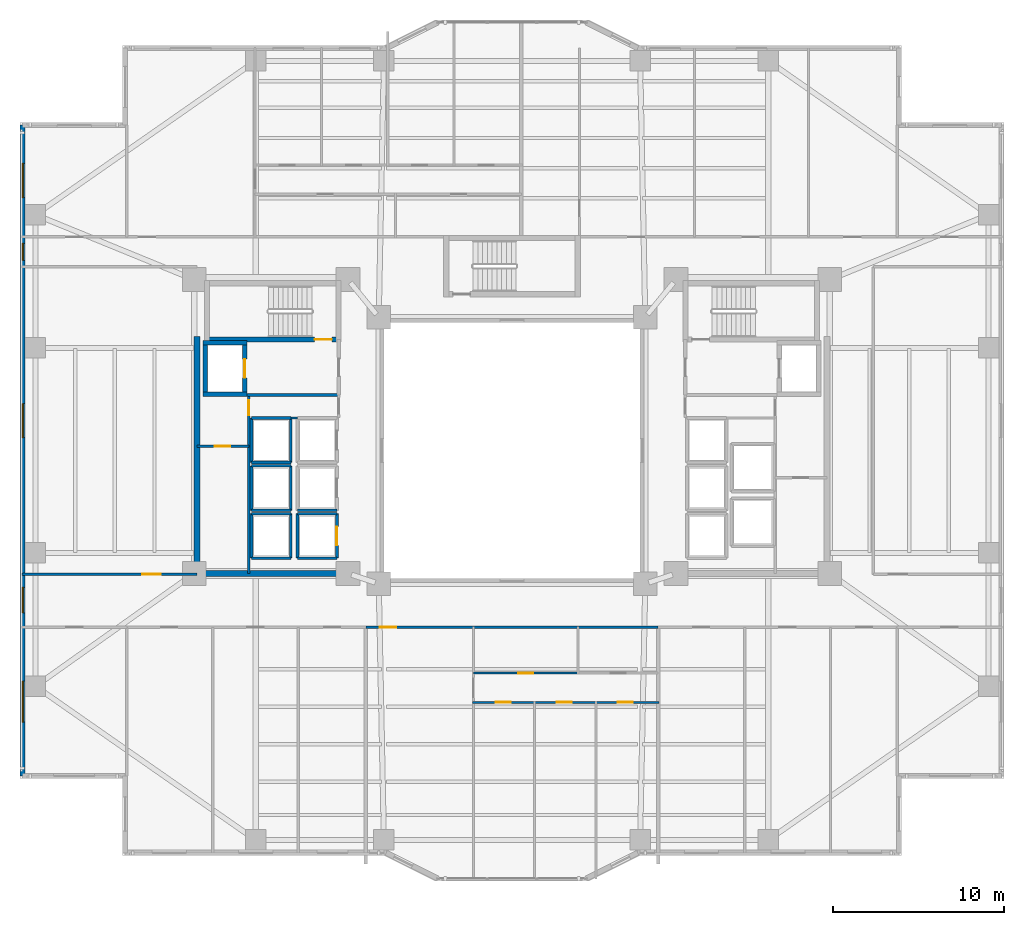
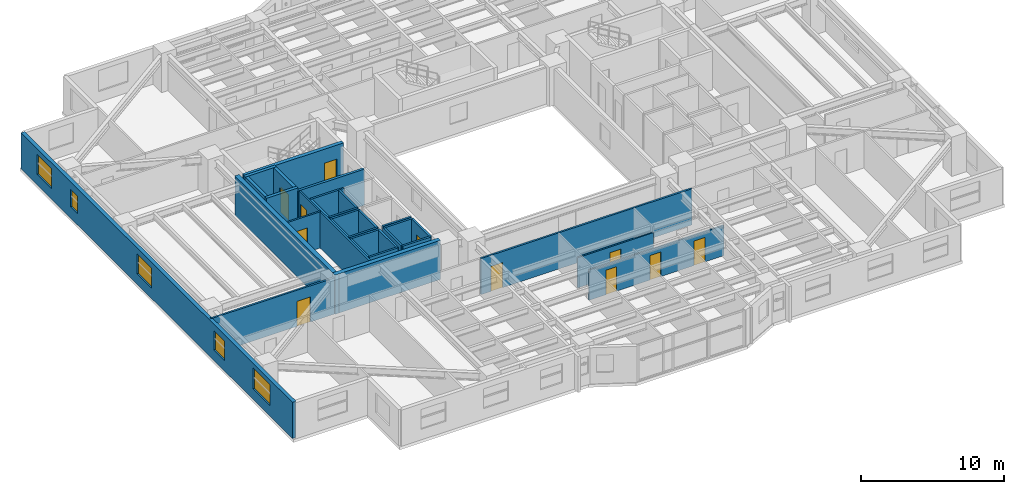
# One storey, part 10 of 19: 33 walls, 11 doors, 5 windows, 16 openings.
"""IFC4 building model written with IfcOpenShell, lengths in metres."""

from ifc_helpers import new_model, si_unit, direction, frame, frame_2d, origin, place, context, subcontext, project, spatial, rectangle, extrude, material, layer, layer_set, type_object, element, fill, save


model = new_model("IFC4")

# Units and contexts
model_context = context("Model", 3, precision=1e-05, world=origin(), true_north=direction((0.0, 1.0)))
body_context = subcontext(model_context, "Body", "Model", "MODEL_VIEW")
ifc_project = project(units=[si_unit("LENGTHUNIT", "METRE"), si_unit("AREAUNIT", "SQUARE_METRE"), si_unit("VOLUMEUNIT", "CUBIC_METRE"), si_unit("PLANEANGLEUNIT", "RADIAN"), si_unit("MASSUNIT", "GRAM", prefix="KILO")], contexts=[model_context])

# Site, building, storey
site_placement = place(None, origin())
site = spatial("IfcSite", under=ifc_project, at=site_placement, CompositionType="ELEMENT")
building_placement = place(site_placement, origin())
building = spatial("IfcBuilding", under=site, at=building_placement, Name="Tarnavaz Court Tower", CompositionType="ELEMENT")
storey_placement = place(building_placement, frame((0.0, 0.0, 50.800048828125)))
storey = spatial("IfcBuildingStorey", under=building, at=storey_placement, Name="L13", CompositionType="ELEMENT", Elevation=50.800048828125)

# Wall
ifc_material_1 = material(Name="Concrete C60/75", Category="concrete")
ifc_layer_1 = layer(ifc_material_1, 0.25)
ifc_layer_set_1 = layer_set([ifc_layer_1], Name="Concrete C60/75")
wall_type_1 = type_object("IfcWallType", Name="WL-CORE-250-C60", PredefinedType="SHEAR", material=ifc_layer_set_1)
wall_1_placement = place(storey_placement, frame((-17.949951171875, 3.175048828125, 0.0), z_axis=(0.0, 0.0, 1.0), x_axis=(0.0, 1.0, 0.0)))
element("IfcWall", 1, at=wall_1_placement, inside=storey, type_object=wall_type_1, Name="L13 Lift FL-W1 Shaft Wall 017", PredefinedType="SHEAR", context=body_context, shape_type="SweptSolid", body=[
    extrude(rectangle(XDim=3.25, YDim=0.25, at=frame_2d((1.625, 0.0))), origin(), (0.0, 0.0, 1.0), 3.349853515625),
])

# Wall, opening, door
wall_2_placement = place(storey_placement, frame((-15.64990234375, 3.175048828125, 0.0), z_axis=(0.0, 0.0, 1.0), x_axis=(0.0, 1.0, 0.0)))
wall_2 = element("IfcWall", 2, at=wall_2_placement, inside=storey, type_object=wall_type_1, Name="L13 Lift FL-W1 Shaft Wall 018", PredefinedType="SHEAR", context=body_context, shape_type="SweptSolid", body=[
    extrude(rectangle(XDim=3.25, YDim=0.25, at=frame_2d((1.625, 0.0))), origin(), (0.0, 0.0, 1.0), 3.349853515625),
])
opening_1_placement = place(wall_2_placement, frame((1.074951171875, 0.0, 0.0)))
opening_1 = element("IfcOpeningElement", 3, at=opening_1_placement, cuts=wall_2, Name="Opening LD1", PredefinedType="OPENING", context=body_context, shape_type="SweptSolid", body=[
    extrude(rectangle(XDim=1.10009765625, YDim=2.14990234375, at=frame_2d((0.550048828125, 1.074951171875))), frame((0.0, 0.135009765625, 0.0), z_axis=(0.0, -1.0, 0.0), x_axis=(1.0, 0.0, 0.0)), (0.0, 0.0, 1.0), 0.27001953125),
])
ifc_material_2 = material(Name="Stainless Steel", Category="steel")
door_type_1 = type_object("IfcDoorType", Name="DR-LD-1100", OperationType="NOTDEFINED", PredefinedType="DOOR", material=ifc_material_2)
door_1_placement = place(opening_1_placement, origin())
door_1 = element("IfcDoor", 4, at=door_1_placement, inside=storey, type_object=door_type_1, Name="L13 Lift Landing Door LD-FL-W1", OperationType="SLIDING_TO_LEFT", OverallHeight=2.14990234375, OverallWidth=1.10009765625, PredefinedType="DOOR", context=body_context, shape_type="SweptSolid", body=[
    extrude(rectangle(XDim=1.10009765625, YDim=2.14990234375, at=frame_2d((0.550048828125, 1.074951171875))), frame((0.0, 0.02490234375, 0.0), z_axis=(0.0, -1.0, 0.0), x_axis=(1.0, 0.0, 0.0)), (0.0, 0.0, 1.0), 0.050048828125),
])
fill(opening_1, door_1)

# Walls
for number, where, z_axis, x_axis, name in (
    (5, (-18.074951171875, 3.300048828125, 0.0), (0.0, 0.0, 1.0), (1.0, 0.0, 0.0), "L13 Lift FL-W1 Shaft Wall 019"),
    (6, (-18.074951171875, 6.300048828125, 0.0), (0.0, 0.0, 1.0), (1.0, 0.0, 0.0), "L13 Lift FL-W1 Shaft Wall 020"),
):
    element("IfcWall", number, at=place(storey_placement, frame(where, z_axis=z_axis, x_axis=x_axis)), inside=storey, type_object=wall_type_1, Name=name, PredefinedType="SHEAR", context=body_context, shape_type="SweptSolid", body=[
        extrude(rectangle(XDim=2.550048828125, YDim=0.25, at=frame_2d((1.27490234375, 0.0))), origin(), (0.0, 0.0, 1.0), 3.349853515625),
    ])

# Wall, opening, door
ifc_layer_2 = layer(ifc_material_1, 0.300048828125)
ifc_layer_set_2 = layer_set([ifc_layer_2], Name="Concrete C60/75")
wall_type_2 = type_object("IfcWallType", Name="WL-CORE-300-C60", PredefinedType="SHEAR", material=ifc_layer_set_2)
wall_3_placement = place(storey_placement, frame((-18.0, 6.5, 0.0), z_axis=(0.0, 0.0, 1.0), x_axis=(1.0, 0.0, 0.0)))
wall_3 = element("IfcWall", 7, at=wall_3_placement, inside=storey, type_object=wall_type_2, Name="L13 West Stair Core Wall 002", PredefinedType="SHEAR", context=body_context, shape_type="SweptSolid", body=[
    extrude(rectangle(XDim=8.0, YDim=0.300048828125, at=frame_2d((4.0, 0.0))), origin(), (0.0, 0.0, 1.0), 3.349853515625),
])
opening_2_placement = place(wall_3_placement, frame((6.449951171875, 0.0, 0.0)))
opening_2 = element("IfcOpeningElement", 8, at=opening_2_placement, cuts=wall_3, Name="Opening D01", PredefinedType="OPENING", context=body_context, shape_type="SweptSolid", body=[
    extrude(rectangle(XDim=1.0, YDim=2.14990234375, at=frame_2d((0.5, 1.074951171875))), frame((0.0, 0.159912109375, 0.0), z_axis=(0.0, -1.0, 0.0), x_axis=(1.0, 0.0, 0.0)), (0.0, 0.0, 1.0), 0.320068359375),
])
ifc_material_3 = material(Name="Fire-Rated Hardwood Timber Core", Category="wood")
door_type_2 = type_object("IfcDoorType", Name="DR-FD90-1000", OperationType="NOTDEFINED", PredefinedType="DOOR", material=ifc_material_3)
door_2_placement = place(opening_2_placement, origin())
door_2 = element("IfcDoor", 9, at=door_2_placement, inside=storey, type_object=door_type_2, Name="L13 Stair ST-W1 Exit Door", OperationType="SINGLE_SWING_LEFT", OverallHeight=2.14990234375, OverallWidth=1.0, PredefinedType="DOOR", context=body_context, shape_type="SweptSolid", body=[
    extrude(rectangle(XDim=1.0, YDim=2.14990234375, at=frame_2d((0.5, 1.074951171875))), frame((0.0, 0.02490234375, 0.0), z_axis=(0.0, -1.0, 0.0), x_axis=(1.0, 0.0, 0.0)), (0.0, 0.0, 1.0), 0.050048828125),
])
fill(opening_2, door_2)

# Walls
ifc_layer_3 = layer(ifc_material_1, 0.35009765625)
ifc_layer_set_3 = layer_set([ifc_layer_3], Name="Concrete C60/75")
wall_type_3 = type_object("IfcWallType", Name="WL-CORE-350-C60", PredefinedType="SHEAR", material=ifc_layer_set_3)
wall_4_placement = place(storey_placement, frame((-18.449951171875, -7.375, 0.0), z_axis=(0.0, 0.0, 1.0), x_axis=(0.0, 1.0, 0.0)))
element("IfcWall", 10, at=wall_4_placement, inside=storey, type_object=wall_type_3, Name="L13 West Core Shear Wall 069", PredefinedType="SHEAR", context=body_context, shape_type="SweptSolid", body=[
    extrude(rectangle(XDim=14.050048828125, YDim=0.35009765625, at=frame_2d((7.02490234375, 0.0))), origin(), (0.0, 0.0, 1.0), 3.349853515625),
])
wall_5_placement = place(storey_placement, frame((-18.625, -7.199951171875, 0.0), z_axis=(0.0, 0.0, 1.0), x_axis=(1.0, 0.0, 0.0)))
element("IfcWall", 11, at=wall_5_placement, inside=storey, type_object=wall_type_3, Name="L13 West Core South Shear Wall 070", PredefinedType="SHEAR", context=body_context, shape_type="SweptSolid", body=[
    extrude(rectangle(XDim=8.550048828125, YDim=0.35009765625, at=frame_2d((4.27490234375, 0.0))), origin(), (0.0, 0.0, 1.0), 3.349853515625),
])

# Wall, openings, windows
ifc_material_4 = material(Name="Precast Concrete C40/50", Category="concrete")
ifc_layer_4 = layer(ifc_material_4, 0.300048828125)
ifc_layer_set_4 = layer_set([ifc_layer_4], Name="Precast Concrete C40/50")
wall_type_4 = type_object("IfcWallType", Name="WL-EXT-300", PredefinedType="SOLIDWALL", material=ifc_layer_set_4)
wall_6_placement = place(storey_placement, frame((-28.64990234375, -19.050048828125, 0.0), z_axis=(0.0, 0.0, 1.0), x_axis=(0.0, 1.0, 0.0)))
wall_6 = element("IfcWall", 12, at=wall_6_placement, inside=storey, type_object=wall_type_4, Name="L13 Exterior Terracotta Facade Wall 02", PredefinedType="SOLIDWALL", context=body_context, shape_type="SweptSolid", body=[
    extrude(rectangle(XDim=38.10009765625, YDim=0.300048828125, at=frame_2d((19.050048828125, 0.0))), origin(), (0.0, 0.0, 1.0), 3.099853515625),
])
opening_3_placement = place(wall_6_placement, frame((3.14990234375, 0.0, 0.89990234375)))
opening_3 = element("IfcOpeningElement", 13, at=opening_3_placement, cuts=wall_6, Name="Opening W06", PredefinedType="OPENING", context=body_context, shape_type="SweptSolid", body=[
    extrude(rectangle(XDim=2.39990234375, YDim=1.800048828125, at=frame_2d((1.199951171875, 0.89990234375))), frame((0.0, 0.159912109375, 0.0), z_axis=(0.0, -1.0, 0.0), x_axis=(1.0, 0.0, 0.0)), (0.0, 0.0, 1.0), 0.320068359375),
])
opening_4_placement = place(wall_6_placement, frame((9.54248046875, 0.0, 0.89990234375)))
opening_4 = element("IfcOpeningElement", 14, at=opening_4_placement, cuts=wall_6, Name="Opening W03", PredefinedType="OPENING", context=body_context, shape_type="SweptSolid", body=[
    extrude(rectangle(XDim=1.5, YDim=1.64990234375, at=frame_2d((0.75, 0.824951171875))), frame((0.0, 0.159912109375, 0.0), z_axis=(0.0, -1.0, 0.0), x_axis=(1.0, 0.0, 0.0)), (0.0, 0.0, 1.0), 0.320068359375),
])
opening_5_placement = place(wall_6_placement, frame((19.800048828125, 0.0, 0.89990234375)))
opening_5 = element("IfcOpeningElement", 15, at=opening_5_placement, cuts=wall_6, Name="Opening W08", PredefinedType="OPENING", context=body_context, shape_type="SweptSolid", body=[
    extrude(rectangle(XDim=2.0, YDim=1.699951171875, at=frame_2d((1.0, 0.85009765625))), frame((0.0, 0.159912109375, 0.0), z_axis=(0.0, -1.0, 0.0), x_axis=(1.0, 0.0, 0.0)), (0.0, 0.0, 1.0), 0.320068359375),
])
opening_6_placement = place(wall_6_placement, frame((30.175048828125, 0.0, 0.949951171875)))
opening_6 = element("IfcOpeningElement", 16, at=opening_6_placement, cuts=wall_6, Name="Opening W14", PredefinedType="OPENING", context=body_context, shape_type="SweptSolid", body=[
    extrude(rectangle(XDim=1.0, YDim=1.5, at=frame_2d((0.5, 0.75))), frame((0.0, 0.159912109375, 0.0), z_axis=(0.0, -1.0, 0.0), x_axis=(1.0, 0.0, 0.0)), (0.0, 0.0, 1.0), 0.320068359375),
])
opening_7_placement = place(wall_6_placement, frame((33.85009765625, 0.0, 0.89990234375)))
opening_7 = element("IfcOpeningElement", 17, at=opening_7_placement, cuts=wall_6, Name="Opening W08", PredefinedType="OPENING", context=body_context, shape_type="SweptSolid", body=[
    extrude(rectangle(XDim=2.0, YDim=1.699951171875, at=frame_2d((1.0, 0.85009765625))), frame((0.0, 0.159912109375, 0.0), z_axis=(0.0, -1.0, 0.0), x_axis=(1.0, 0.0, 0.0)), (0.0, 0.0, 1.0), 0.320068359375),
])
ifc_material_5 = material(Name="Double-Glazed Solar Low-E Glass", Category="glass")
window_type_1 = type_object("IfcWindowType", Name="WN-APT-1000", PartitioningType="SINGLE_PANEL", PredefinedType="WINDOW", material=ifc_material_5)
window_1_placement = place(opening_6_placement, origin())
window_1 = element("IfcWindow", 18, at=window_1_placement, inside=storey, type_object=window_type_1, Name="L13 North-West Corner Corridor Window", OverallHeight=1.5, OverallWidth=1.0, PartitioningType="SINGLE_PANEL", PredefinedType="WINDOW", context=body_context, shape_type="SweptSolid", body=[
    extrude(rectangle(XDim=1.0, YDim=1.5, at=frame_2d((0.5, 0.75))), frame((0.0, 0.030029296875, 0.0), z_axis=(0.0, -1.0, 0.0), x_axis=(1.0, 0.0, 0.0)), (0.0, 0.0, 1.0), 0.06005859375),
])
fill(opening_6, window_1)
window_type_2 = type_object("IfcWindowType", Name="WN-APT-1500", PartitioningType="DOUBLE_PANEL_VERTICAL", PredefinedType="WINDOW", material=ifc_material_5)
window_2_placement = place(opening_4_placement, origin())
window_2 = element("IfcWindow", 19, at=window_2_placement, inside=storey, type_object=window_type_2, Name="L13 South-West Corner Corridor Window", OverallHeight=1.64990234375, OverallWidth=1.5, PartitioningType="SINGLE_PANEL", PredefinedType="WINDOW", context=body_context, shape_type="SweptSolid", body=[
    extrude(rectangle(XDim=1.5, YDim=1.64990234375, at=frame_2d((0.75, 0.824951171875))), frame((0.0, 0.030029296875, 0.0), z_axis=(0.0, -1.0, 0.0), x_axis=(1.0, 0.0, 0.0)), (0.0, 0.0, 1.0), 0.06005859375),
])
fill(opening_4, window_2)
window_type_3 = type_object("IfcWindowType", Name="WN-APT-2000", PartitioningType="DOUBLE_PANEL_VERTICAL", PredefinedType="WINDOW", material=ifc_material_5)
window_3_placement = place(opening_5_placement, origin())
window_3 = element("IfcWindow", 20, at=window_3_placement, inside=storey, type_object=window_type_3, Name="L13 West Wing Panoramic Study Gallery Window", OverallHeight=1.699951171875, OverallWidth=2.0, PartitioningType="SINGLE_PANEL", PredefinedType="WINDOW", context=body_context, shape_type="SweptSolid", body=[
    extrude(rectangle(XDim=2.0, YDim=1.699951171875, at=frame_2d((1.0, 0.85009765625))), frame((0.0, 0.030029296875, 0.0), z_axis=(0.0, -1.0, 0.0), x_axis=(1.0, 0.0, 0.0)), (0.0, 0.0, 1.0), 0.06005859375),
])
fill(opening_5, window_3)
window_4_placement = place(opening_7_placement, origin())
window_4 = element("IfcWindow", 21, at=window_4_placement, inside=storey, type_object=window_type_3, Name="L13 North-West Corner Sunroom Study Window", OverallHeight=1.699951171875, OverallWidth=2.0, PartitioningType="SINGLE_PANEL", PredefinedType="WINDOW", context=body_context, shape_type="SweptSolid", body=[
    extrude(rectangle(XDim=2.0, YDim=1.699951171875, at=frame_2d((1.0, 0.85009765625))), frame((0.0, 0.030029296875, 0.0), z_axis=(0.0, -1.0, 0.0), x_axis=(1.0, 0.0, 0.0)), (0.0, 0.0, 1.0), 0.06005859375),
])
fill(opening_7, window_4)
window_type_4 = type_object("IfcWindowType", Name="WN-APT-2400", PartitioningType="TRIPLE_PANEL_VERTICAL", PredefinedType="WINDOW", material=ifc_material_5)
window_5_placement = place(opening_3_placement, origin())
window_5 = element("IfcWindow", 22, at=window_5_placement, inside=storey, type_object=window_type_4, Name="L13 South-West Corner Reading Room Window", OverallHeight=1.800048828125, OverallWidth=2.39990234375, PartitioningType="SINGLE_PANEL", PredefinedType="WINDOW", context=body_context, shape_type="SweptSolid", body=[
    extrude(rectangle(XDim=2.39990234375, YDim=1.800048828125, at=frame_2d((1.199951171875, 0.89990234375))), frame((0.0, 0.030029296875, 0.0), z_axis=(0.0, -1.0, 0.0), x_axis=(1.0, 0.0, 0.0)), (0.0, 0.0, 1.0), 0.06005859375),
])
fill(opening_3, window_5)

# Wall, opening, door
ifc_material_6 = material(Name="Gypsum Fire-Board on Acoustic Metal Stud", Category="masonry")
ifc_layer_5 = layer(ifc_material_6, 0.14990234375)
ifc_layer_set_5 = layer_set([ifc_layer_5], Name="Gypsum Fire-Board on Acoustic Metal Stud")
wall_type_5 = type_object("IfcWallType", Name="WL-FIRE-150", PredefinedType="PARTITIONING", material=ifc_layer_set_5)
wall_7_placement = place(storey_placement, frame((-8.550048828125, -10.35009765625, 0.0), z_axis=(0.0, 0.0, 1.0), x_axis=(1.0, 0.0, 0.0)))
wall_7 = element("IfcWall", 23, at=wall_7_placement, inside=storey, type_object=wall_type_5, Name="L13 South Ring Corridor Wall 085", PredefinedType="PARTITIONING", context=body_context, shape_type="SweptSolid", body=[
    extrude(rectangle(XDim=17.10009765625, YDim=0.14990234375, at=frame_2d((8.550048828125, 0.0))), origin(), (0.0, 0.0, 1.0), 3.099853515625),
])
opening_8_placement = place(wall_7_placement, frame((0.800048828125, 0.0, 0.0)))
opening_8 = element("IfcOpeningElement", 24, at=opening_8_placement, cuts=wall_7, Name="Opening D06", PredefinedType="OPENING", context=body_context, shape_type="SweptSolid", body=[
    extrude(rectangle(XDim=0.9599609375, YDim=2.14990234375, at=frame_2d((0.47998046875, 1.074951171875))), frame((0.0, 0.0849609375, 0.0), z_axis=(0.0, -1.0, 0.0), x_axis=(1.0, 0.0, 0.0)), (0.0, 0.0, 1.0), 0.169921875),
])
door_type_3 = type_object("IfcDoorType", Name="DR-FD60-950", OperationType="NOTDEFINED", PredefinedType="DOOR", material=ifc_material_3)
door_3_placement = place(opening_8_placement, origin())
door_3 = element("IfcDoor", 25, at=door_3_placement, inside=storey, type_object=door_type_3, Name="L13 Flat 02 Entrance Door", OperationType="SINGLE_SWING_LEFT", OverallHeight=2.14990234375, OverallWidth=0.9599609375, PredefinedType="DOOR", context=body_context, shape_type="SweptSolid", body=[
    extrude(rectangle(XDim=0.9599609375, YDim=2.14990234375, at=frame_2d((0.47998046875, 1.074951171875))), frame((0.0, 0.02490234375, 0.0), z_axis=(0.0, -1.0, 0.0), x_axis=(1.0, 0.0, 0.0)), (0.0, 0.0, 1.0), 0.050048828125),
])
fill(opening_8, door_3)

wall_8_placement = place(storey_placement, frame((-28.679931640625, -7.25, 0.0), z_axis=(0.0, 0.0, 1.0), x_axis=(1.0, 0.0, 0.0)))
wall_8 = element("IfcWall", 26, at=wall_8_placement, inside=storey, type_object=wall_type_5, Name="L13 Interior Partition 112", PredefinedType="PARTITIONING", context=body_context, shape_type="SweptSolid", body=[
    extrude(rectangle(XDim=10.22998046875, YDim=0.14990234375, at=frame_2d((5.114990234375, 0.0))), origin(), (0.0, 0.0, 1.0), 3.099853515625),
])
opening_9_placement = place(wall_8_placement, frame((7.030029296875, 0.0, 0.0)))
opening_9 = element("IfcOpeningElement", 27, at=opening_9_placement, cuts=wall_8, Name="Opening D12", PredefinedType="OPENING", context=body_context, shape_type="SweptSolid", body=[
    extrude(rectangle(XDim=1.080078125, YDim=2.14990234375, at=frame_2d((0.5400390625, 1.074951171875))), frame((0.0, 0.0849609375, 0.0), z_axis=(0.0, -1.0, 0.0), x_axis=(1.0, 0.0, 0.0)), (0.0, 0.0, 1.0), 0.169921875),
])
ifc_material_7 = material(Name="Engineered Oak Timber", Category="wood")
door_type_4 = type_object("IfcDoorType", Name="DR-INT-1100", OperationType="NOTDEFINED", PredefinedType="DOOR", material=ifc_material_7)
door_4_placement = place(opening_9_placement, origin())
door_4 = element("IfcDoor", 28, at=door_4_placement, inside=storey, type_object=door_type_4, Name="L13 West Study Gallery Door", OperationType="SINGLE_SWING_RIGHT", OverallHeight=2.14990234375, OverallWidth=1.080078125, PredefinedType="DOOR", context=body_context, shape_type="SweptSolid", body=[
    extrude(rectangle(XDim=1.080078125, YDim=2.14990234375, at=frame_2d((0.5400390625, 1.074951171875))), frame((0.0, 0.02490234375, 0.0), z_axis=(0.0, -1.0, 0.0), x_axis=(1.0, 0.0, 0.0)), (0.0, 0.0, 1.0), 0.050048828125),
])
fill(opening_9, door_4)

# Wall
ifc_material_8 = material(Name="Autoclaved Aerated Concrete Blockwork", Category="masonry")
ifc_layer_6 = layer(ifc_material_8, 0.199951171875)
ifc_layer_set_6 = layer_set([ifc_layer_6], Name="Autoclaved Aerated Concrete Blockwork")
wall_type_6 = type_object("IfcWallType", Name="WL-FIRE-200", PredefinedType="SOLIDWALL", material=ifc_layer_set_6)
wall_9_placement = place(storey_placement, frame((-15.550048828125, 3.25, 0.0), z_axis=(0.0, 0.0, 1.0), x_axis=(1.0, 0.0, 0.0)))
element("IfcWall", 29, at=wall_9_placement, inside=storey, type_object=wall_type_6, Name="L13 West Firefighting Lobby Wall 013", PredefinedType="SOLIDWALL", context=body_context, shape_type="SweptSolid", body=[
    extrude(rectangle(XDim=5.400146484375, YDim=0.199951171875, at=frame_2d((2.7001953125, 0.0))), origin(), (0.0, 0.0, 1.0), 3.099853515625),
])

# Wall, opening, door
ifc_material_9 = material(Name="Moisture-Resistant Gypsum Board Partition", Category="masonry")
ifc_layer_7 = layer(ifc_material_9, 0.1201171875)
ifc_layer_set_7 = layer_set([ifc_layer_7], Name="Moisture-Resistant Gypsum Board Partition")
wall_type_7 = type_object("IfcWallType", Name="WL-PART-120", PredefinedType="PARTITIONING", material=ifc_layer_set_7)
wall_10_placement = place(storey_placement, frame((-2.25, -13.030029296875, 0.0), z_axis=(0.0, 0.0, 1.0), x_axis=(1.0, 0.0, 0.0)))
wall_10 = element("IfcWall", 30, at=wall_10_placement, inside=storey, type_object=wall_type_7, Name="L13 Interior Partition 106", PredefinedType="PARTITIONING", context=body_context, shape_type="SweptSolid", body=[
    extrude(rectangle(XDim=6.1220703125, YDim=0.1201171875, at=frame_2d((3.06103515625, 0.0))), origin(), (0.0, 0.0, 1.0), 2.5849609375),
])
opening_10_placement = place(wall_10_placement, frame((2.62109375, 0.0, 0.0)))
opening_10 = element("IfcOpeningElement", 31, at=opening_10_placement, cuts=wall_10, Name="Opening D14", PredefinedType="OPENING", context=body_context, shape_type="SweptSolid", body=[
    extrude(rectangle(XDim=0.8798828125, YDim=2.10009765625, at=frame_2d((0.43994140625, 1.050048828125))), frame((0.0, 0.070068359375, 0.0), z_axis=(0.0, -1.0, 0.0), x_axis=(1.0, 0.0, 0.0)), (0.0, 0.0, 1.0), 0.14013671875),
])
door_type_5 = type_object("IfcDoorType", Name="DR-INT-900", OperationType="NOTDEFINED", PredefinedType="DOOR", material=ifc_material_7)
door_5_placement = place(opening_10_placement, origin())
door_5 = element("IfcDoor", 32, at=door_5_placement, inside=storey, type_object=door_type_5, Name="L13 Flat 02 Kitchen Door", OperationType="SINGLE_SWING_LEFT", OverallHeight=2.10009765625, OverallWidth=0.8798828125, PredefinedType="DOOR", context=body_context, shape_type="SweptSolid", body=[
    extrude(rectangle(XDim=0.8798828125, YDim=2.10009765625, at=frame_2d((0.43994140625, 1.050048828125))), frame((0.0, 0.02490234375, 0.0), z_axis=(0.0, -1.0, 0.0), x_axis=(1.0, 0.0, 0.0)), (0.0, 0.0, 1.0), 0.050048828125),
])
fill(opening_10, door_5)

# Wall, openings, doors
wall_11_placement = place(storey_placement, frame((-2.31005859375, -14.739990234375, 0.0), z_axis=(0.0, 0.0, 1.0), x_axis=(1.0, 0.0, 0.0)))
wall_11 = element("IfcWall", 33, at=wall_11_placement, inside=storey, type_object=wall_type_7, Name="L13 Interior Partition 108", PredefinedType="PARTITIONING", context=body_context, shape_type="SweptSolid", body=[
    extrude(rectangle(XDim=10.920166015625, YDim=0.1201171875, at=frame_2d((5.4599609375, 0.0))), origin(), (0.0, 0.0, 1.0), 2.5849609375),
])
opening_11_placement = place(wall_11_placement, frame((1.35009765625, 0.0, 0.0)))
opening_11 = element("IfcOpeningElement", 34, at=opening_11_placement, cuts=wall_11, Name="Opening D14", PredefinedType="OPENING", context=body_context, shape_type="SweptSolid", body=[
    extrude(rectangle(XDim=0.8798828125, YDim=2.10009765625, at=frame_2d((0.43994140625, 1.050048828125))), frame((0.0, 0.070068359375, 0.0), z_axis=(0.0, -1.0, 0.0), x_axis=(1.0, 0.0, 0.0)), (0.0, 0.0, 1.0), 0.14013671875),
])
opening_12_placement = place(wall_11_placement, frame((4.929931640625, 0.0, 0.0)))
opening_12 = element("IfcOpeningElement", 35, at=opening_12_placement, cuts=wall_11, Name="Opening D14", PredefinedType="OPENING", context=body_context, shape_type="SweptSolid", body=[
    extrude(rectangle(XDim=0.8798828125, YDim=2.10009765625, at=frame_2d((0.43994140625, 1.050048828125))), frame((0.0, 0.070068359375, 0.0), z_axis=(0.0, -1.0, 0.0), x_axis=(1.0, 0.0, 0.0)), (0.0, 0.0, 1.0), 0.14013671875),
])
opening_13_placement = place(wall_11_placement, frame((8.510009765625, 0.0, 0.0)))
opening_13 = element("IfcOpeningElement", 36, at=opening_13_placement, cuts=wall_11, Name="Opening D14", PredefinedType="OPENING", context=body_context, shape_type="SweptSolid", body=[
    extrude(rectangle(XDim=0.8798828125, YDim=2.10009765625, at=frame_2d((0.43994140625, 1.050048828125))), frame((0.0, 0.070068359375, 0.0), z_axis=(0.0, -1.0, 0.0), x_axis=(1.0, 0.0, 0.0)), (0.0, 0.0, 1.0), 0.14013671875),
])
door_6_placement = place(opening_11_placement, origin())
door_6 = element("IfcDoor", 37, at=door_6_placement, inside=storey, type_object=door_type_5, Name="L13 Flat 02 Bedroom 1 Door", OperationType="SINGLE_SWING_LEFT", OverallHeight=2.10009765625, OverallWidth=0.8798828125, PredefinedType="DOOR", context=body_context, shape_type="SweptSolid", body=[
    extrude(rectangle(XDim=0.8798828125, YDim=2.10009765625, at=frame_2d((0.43994140625, 1.050048828125))), frame((0.0, 0.02490234375, 0.0), z_axis=(0.0, -1.0, 0.0), x_axis=(1.0, 0.0, 0.0)), (0.0, 0.0, 1.0), 0.050048828125),
])
fill(opening_11, door_6)
door_7_placement = place(opening_12_placement, origin())
door_7 = element("IfcDoor", 38, at=door_7_placement, inside=storey, type_object=door_type_5, Name="L13 Flat 02 Bedroom 2 Door", OperationType="SINGLE_SWING_RIGHT", OverallHeight=2.10009765625, OverallWidth=0.8798828125, PredefinedType="DOOR", context=body_context, shape_type="SweptSolid", body=[
    extrude(rectangle(XDim=0.8798828125, YDim=2.10009765625, at=frame_2d((0.43994140625, 1.050048828125))), frame((0.0, 0.02490234375, 0.0), z_axis=(0.0, -1.0, 0.0), x_axis=(1.0, 0.0, 0.0)), (0.0, 0.0, 1.0), 0.050048828125),
])
fill(opening_12, door_7)
door_8_placement = place(opening_13_placement, origin())
door_8 = element("IfcDoor", 39, at=door_8_placement, inside=storey, type_object=door_type_5, Name="L13 Flat 02 Bedroom 3 Door", OperationType="SINGLE_SWING_LEFT", OverallHeight=2.10009765625, OverallWidth=0.8798828125, PredefinedType="DOOR", context=body_context, shape_type="SweptSolid", body=[
    extrude(rectangle(XDim=0.8798828125, YDim=2.10009765625, at=frame_2d((0.43994140625, 1.050048828125))), frame((0.0, 0.02490234375, 0.0), z_axis=(0.0, -1.0, 0.0), x_axis=(1.0, 0.0, 0.0)), (0.0, 0.0, 1.0), 0.050048828125),
])
fill(opening_13, door_8)

# Wall
ifc_material_10 = material(Name="Gypsum Plasterboard Acoustic Partition", Category="masonry")
ifc_layer_8 = layer(ifc_material_10, 0.139892578125)
ifc_layer_set_8 = layer_set([ifc_layer_8], Name="Gypsum Plasterboard Acoustic Partition")
wall_type_8 = type_object("IfcWallType", Name="WL-PART-150", PredefinedType="PARTITIONING", material=ifc_layer_set_8)
wall_12_placement = place(storey_placement, frame((-12.949951171875, 1.89990234375, 0.0), z_axis=(0.0, 0.0, 1.0), x_axis=(1.0, 0.0, 0.0)))
element("IfcWall", 40, at=wall_12_placement, inside=storey, type_object=wall_type_8, Name="L13 Interior Partition 073", PredefinedType="PARTITIONING", context=body_context, shape_type="SweptSolid", body=[
    extrude(rectangle(XDim=0.39990234375, YDim=0.139892578125, at=frame_2d((0.199951171875, 0.0))), origin(), (0.0, 0.0, 1.0), 3.099853515625),
])

# Wall, opening, door
wall_13_placement = place(storey_placement, frame((-15.39990234375, -7.199951171875, 0.0), z_axis=(0.0, 0.0, 1.0), x_axis=(0.0, 1.0, 0.0)))
wall_13 = element("IfcWall", 41, at=wall_13_placement, inside=storey, type_object=wall_type_8, Name="L13 Interior Partition 075", PredefinedType="PARTITIONING", context=body_context, shape_type="SweptSolid", body=[
    extrude(rectangle(XDim=10.449951171875, YDim=0.139892578125, at=frame_2d((5.22509765625, 0.0))), origin(), (0.0, 0.0, 1.0), 3.099853515625),
])
opening_14_placement = place(wall_13_placement, frame((9.25, 0.0, 0.0)))
opening_14 = element("IfcOpeningElement", 42, at=opening_14_placement, cuts=wall_13, Name="Opening D09", PredefinedType="OPENING", context=body_context, shape_type="SweptSolid", body=[
    extrude(rectangle(XDim=0.89990234375, YDim=2.080078125, at=frame_2d((0.449951171875, 1.0400390625))), frame((0.0, 0.079833984375, 0.0), z_axis=(0.0, -1.0, 0.0), x_axis=(1.0, 0.0, 0.0)), (0.0, 0.0, 1.0), 0.159912109375),
])
door_type_6 = type_object("IfcDoorType", Name="DR-FD30-900", OperationType="NOTDEFINED", PredefinedType="DOOR", material=ifc_material_3)
door_9_placement = place(opening_14_placement, origin())
door_9 = element("IfcDoor", 43, at=door_9_placement, inside=storey, type_object=door_type_6, Name="L13 West Data Room Door", OperationType="SINGLE_SWING_RIGHT", OverallHeight=2.080078125, OverallWidth=0.89990234375, PredefinedType="DOOR", context=body_context, shape_type="SweptSolid", body=[
    extrude(rectangle(XDim=0.89990234375, YDim=2.080078125, at=frame_2d((0.449951171875, 1.0400390625))), frame((0.0, 0.02490234375, 0.0), z_axis=(0.0, -1.0, 0.0), x_axis=(1.0, 0.0, 0.0)), (0.0, 0.0, 1.0), 0.050048828125),
])
fill(opening_14, door_9)

wall_14_placement = place(storey_placement, frame((-18.449951171875, 0.25, 0.0), z_axis=(0.0, 0.0, 1.0), x_axis=(1.0, 0.0, 0.0)))
wall_14 = element("IfcWall", 44, at=wall_14_placement, inside=storey, type_object=wall_type_8, Name="L13 Interior Partition 076", PredefinedType="PARTITIONING", context=body_context, shape_type="SweptSolid", body=[
    extrude(rectangle(XDim=3.050048828125, YDim=0.139892578125, at=frame_2d((1.52490234375, 0.0))), origin(), (0.0, 0.0, 1.0), 3.099853515625),
])
opening_15_placement = place(wall_14_placement, frame((1.050048828125, 0.0, 0.0)))
opening_15 = element("IfcOpeningElement", 45, at=opening_15_placement, cuts=wall_14, Name="Opening D09", PredefinedType="OPENING", context=body_context, shape_type="SweptSolid", body=[
    extrude(rectangle(XDim=0.89990234375, YDim=2.080078125, at=frame_2d((0.449951171875, 1.0400390625))), frame((0.0, 0.079833984375, 0.0), z_axis=(0.0, -1.0, 0.0), x_axis=(1.0, 0.0, 0.0)), (0.0, 0.0, 1.0), 0.159912109375),
])
door_10_placement = place(opening_15_placement, origin())
door_10 = element("IfcDoor", 46, at=door_10_placement, inside=storey, type_object=door_type_6, Name="L13 West Mechanical Riser Door", OperationType="SINGLE_SWING_LEFT", OverallHeight=2.080078125, OverallWidth=0.89990234375, PredefinedType="DOOR", context=body_context, shape_type="SweptSolid", body=[
    extrude(rectangle(XDim=0.89990234375, YDim=2.080078125, at=frame_2d((0.449951171875, 1.0400390625))), frame((0.0, 0.02490234375, 0.0), z_axis=(0.0, -1.0, 0.0), x_axis=(1.0, 0.0, 0.0)), (0.0, 0.0, 1.0), 0.050048828125),
])
fill(opening_15, door_10)

# Wall
ifc_layer_9 = layer(ifc_material_8, 0.159912109375)
ifc_layer_set_9 = layer_set([ifc_layer_9], Name="Autoclaved Aerated Concrete Blockwork")
wall_type_9 = type_object("IfcWallType", Name="WL-SHAFT-150", PredefinedType="SOLIDWALL", material=ifc_layer_set_9)
wall_15_placement = place(storey_placement, frame((-12.550048828125, -6.300048828125, 0.0), z_axis=(0.0, 0.0, 1.0), x_axis=(0.0, 1.0, 0.0)))
element("IfcWall", 47, at=wall_15_placement, inside=storey, type_object=wall_type_9, Name="L13 Lift PL-L1 Shaft Wall 021", PredefinedType="SOLIDWALL", context=body_context, shape_type="SweptSolid", body=[
    extrude(rectangle(XDim=2.60009765625, YDim=0.159912109375, at=frame_2d((1.300048828125, 0.0))), origin(), (0.0, 0.0, 1.0), 3.099853515625),
])

# Wall, opening, door
wall_16_placement = place(storey_placement, frame((-10.25, -6.300048828125, 0.0), z_axis=(0.0, 0.0, 1.0), x_axis=(0.0, 1.0, 0.0)))
wall_16 = element("IfcWall", 48, at=wall_16_placement, inside=storey, type_object=wall_type_9, Name="L13 Lift PL-L1 Shaft Wall 022", PredefinedType="SOLIDWALL", context=body_context, shape_type="SweptSolid", body=[
    extrude(rectangle(XDim=2.60009765625, YDim=0.159912109375, at=frame_2d((1.300048828125, 0.0))), origin(), (0.0, 0.0, 1.0), 3.099853515625),
])
opening_16_placement = place(wall_16_placement, frame((0.75, 0.0, 0.0)))
opening_16 = element("IfcOpeningElement", 49, at=opening_16_placement, cuts=wall_16, Name="Opening LD1", PredefinedType="OPENING", context=body_context, shape_type="SweptSolid", body=[
    extrude(rectangle(XDim=1.10009765625, YDim=2.14990234375, at=frame_2d((0.550048828125, 1.074951171875))), frame((0.0, 0.08984375, 0.0), z_axis=(0.0, -1.0, 0.0), x_axis=(1.0, 0.0, 0.0)), (0.0, 0.0, 1.0), 0.179931640625),
])
door_11_placement = place(opening_16_placement, origin())
door_11 = element("IfcDoor", 50, at=door_11_placement, inside=storey, type_object=door_type_1, Name="L13 Lift Landing Door LD-PL-L1", OperationType="SLIDING_TO_LEFT", OverallHeight=2.14990234375, OverallWidth=1.10009765625, PredefinedType="DOOR", context=body_context, shape_type="SweptSolid", body=[
    extrude(rectangle(XDim=1.10009765625, YDim=2.14990234375, at=frame_2d((0.550048828125, 1.074951171875))), frame((0.0, 0.02490234375, 0.0), z_axis=(0.0, -1.0, 0.0), x_axis=(1.0, 0.0, 0.0)), (0.0, 0.0, 1.0), 0.050048828125),
])
fill(opening_16, door_11)

# Walls
for number, where, z_axis, x_axis, name in (
    (51, (-12.550048828125, -6.300048828125, 0.0), (0.0, 0.0, 1.0), (1.0, 0.0, 0.0), "L13 Lift PL-L1 Shaft Wall 023"),
    (52, (-12.550048828125, -3.699951171875, 0.0), (0.0, 0.0, 1.0), (1.0, 0.0, 0.0), "L13 Lift PL-L1 Shaft Wall 024"),
    (53, (-12.550048828125, -3.5, 0.0), (0.0, 0.0, 1.0), (1.0, 0.0, 0.0), "L13 Lift PL-L2 Shaft Wall 027"),
):
    element("IfcWall", number, at=place(storey_placement, frame(where, z_axis=z_axis, x_axis=x_axis)), inside=storey, type_object=wall_type_9, Name=name, PredefinedType="SOLIDWALL", context=body_context, shape_type="SweptSolid", body=[
        extrude(rectangle(XDim=2.300048828125, YDim=0.159912109375, at=frame_2d((1.14990234375, 0.0))), origin(), (0.0, 0.0, 1.0), 3.099853515625),
    ])
for number, where, z_axis, x_axis, name in (
    (54, (-15.25, -6.300048828125, 0.0), (0.0, 0.0, 1.0), (0.0, 1.0, 0.0), "L13 Lift PL-H1 Shaft Wall 033"),
    (55, (-12.949951171875, -6.300048828125, 0.0), (0.0, 0.0, 1.0), (0.0, 1.0, 0.0), "L13 Lift PL-H1 Shaft Wall 034"),
):
    element("IfcWall", number, at=place(storey_placement, frame(where, z_axis=z_axis, x_axis=x_axis)), inside=storey, type_object=wall_type_9, Name=name, PredefinedType="SOLIDWALL", context=body_context, shape_type="SweptSolid", body=[
        extrude(rectangle(XDim=2.60009765625, YDim=0.159912109375, at=frame_2d((1.300048828125, 0.0))), origin(), (0.0, 0.0, 1.0), 3.099853515625),
    ])
for number, where, z_axis, x_axis, name in (
    (56, (-15.25, -6.300048828125, 0.0), (0.0, 0.0, 1.0), (1.0, 0.0, 0.0), "L13 Lift PL-H1 Shaft Wall 035"),
    (57, (-15.25, -3.699951171875, 0.0), (0.0, 0.0, 1.0), (1.0, 0.0, 0.0), "L13 Lift PL-H1 Shaft Wall 036"),
):
    element("IfcWall", number, at=place(storey_placement, frame(where, z_axis=z_axis, x_axis=x_axis)), inside=storey, type_object=wall_type_9, Name=name, PredefinedType="SOLIDWALL", context=body_context, shape_type="SweptSolid", body=[
        extrude(rectangle(XDim=2.300048828125, YDim=0.159912109375, at=frame_2d((1.14990234375, 0.0))), origin(), (0.0, 0.0, 1.0), 3.099853515625),
    ])
for number, where, z_axis, x_axis, name in (
    (58, (-15.25, -3.5, 0.0), (0.0, 0.0, 1.0), (0.0, 1.0, 0.0), "L13 Lift PL-H2 Shaft Wall 037"),
    (59, (-12.949951171875, -3.5, 0.0), (0.0, 0.0, 1.0), (0.0, 1.0, 0.0), "L13 Lift PL-H2 Shaft Wall 038"),
):
    element("IfcWall", number, at=place(storey_placement, frame(where, z_axis=z_axis, x_axis=x_axis)), inside=storey, type_object=wall_type_9, Name=name, PredefinedType="SOLIDWALL", context=body_context, shape_type="SweptSolid", body=[
        extrude(rectangle(XDim=2.60009765625, YDim=0.159912109375, at=frame_2d((1.300048828125, 0.0))), origin(), (0.0, 0.0, 1.0), 3.099853515625),
    ])
for number, where, z_axis, x_axis, name in (
    (60, (-15.25, -3.5, 0.0), (0.0, 0.0, 1.0), (1.0, 0.0, 0.0), "L13 Lift PL-H2 Shaft Wall 039"),
    (61, (-15.25, -0.89990234375, 0.0), (0.0, 0.0, 1.0), (1.0, 0.0, 0.0), "L13 Lift PL-H2 Shaft Wall 040"),
):
    element("IfcWall", number, at=place(storey_placement, frame(where, z_axis=z_axis, x_axis=x_axis)), inside=storey, type_object=wall_type_9, Name=name, PredefinedType="SOLIDWALL", context=body_context, shape_type="SweptSolid", body=[
        extrude(rectangle(XDim=2.300048828125, YDim=0.159912109375, at=frame_2d((1.14990234375, 0.0))), origin(), (0.0, 0.0, 1.0), 3.099853515625),
    ])
for number, where, z_axis, x_axis, name in (
    (62, (-15.25, -0.699951171875, 0.0), (0.0, 0.0, 1.0), (0.0, 1.0, 0.0), "L13 Lift PL-H3 Shaft Wall 041"),
    (63, (-12.949951171875, -0.699951171875, 0.0), (0.0, 0.0, 1.0), (0.0, 1.0, 0.0), "L13 Lift PL-H3 Shaft Wall 042"),
):
    element("IfcWall", number, at=place(storey_placement, frame(where, z_axis=z_axis, x_axis=x_axis)), inside=storey, type_object=wall_type_9, Name=name, PredefinedType="SOLIDWALL", context=body_context, shape_type="SweptSolid", body=[
        extrude(rectangle(XDim=2.599853515625, YDim=0.159912109375, at=frame_2d((1.2998046875, 0.0))), origin(), (0.0, 0.0, 1.0), 3.099853515625),
    ])
for number, where, z_axis, x_axis, name in (
    (64, (-15.25, -0.699951171875, 0.0), (0.0, 0.0, 1.0), (1.0, 0.0, 0.0), "L13 Lift PL-H3 Shaft Wall 043"),
    (65, (-15.25, 1.89990234375, 0.0), (0.0, 0.0, 1.0), (1.0, 0.0, 0.0), "L13 Lift PL-H3 Shaft Wall 044"),
):
    element("IfcWall", number, at=place(storey_placement, frame(where, z_axis=z_axis, x_axis=x_axis)), inside=storey, type_object=wall_type_9, Name=name, PredefinedType="SOLIDWALL", context=body_context, shape_type="SweptSolid", body=[
        extrude(rectangle(XDim=2.300048828125, YDim=0.159912109375, at=frame_2d((1.14990234375, 0.0))), origin(), (0.0, 0.0, 1.0), 3.099853515625),
    ])

save(model, "model.ifc")
